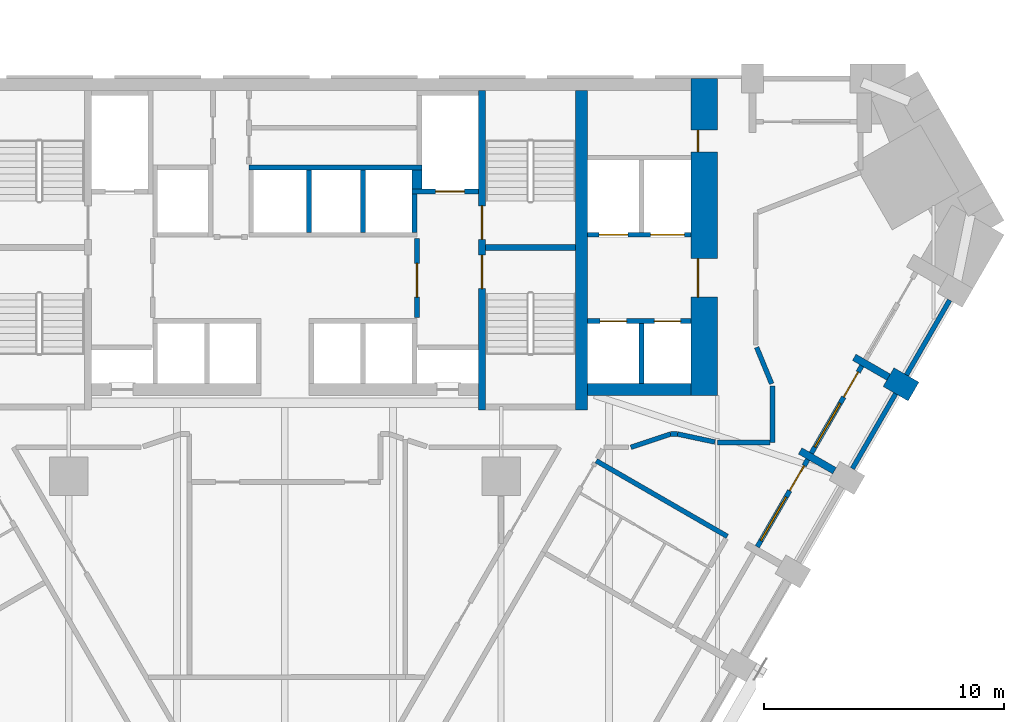
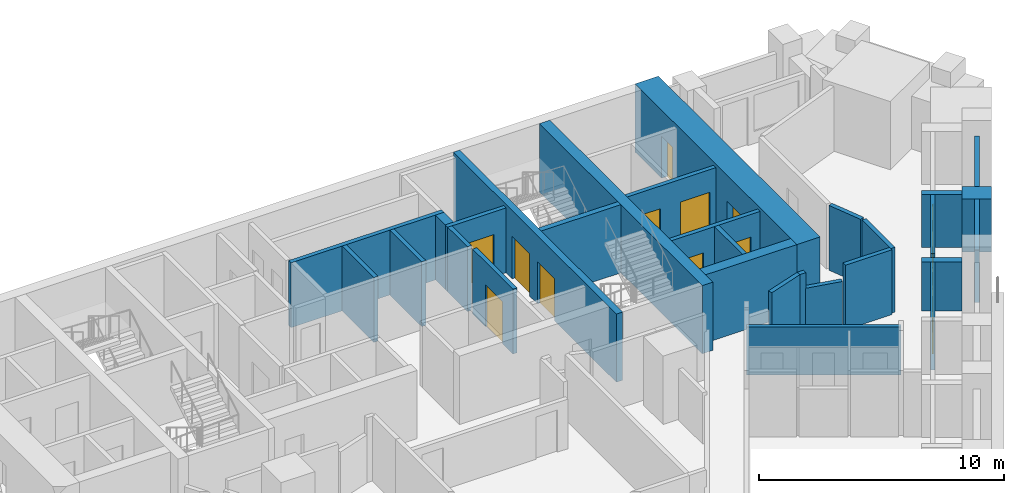
# One storey, part 7 of 10: 29 walls, 12 doors, 2 windows, 14 openings.
"""IFC4 building model written with IfcOpenShell, lengths in metres."""

from ifc_helpers import new_model, si_unit, direction, frame, frame_2d, origin, place, context, subcontext, project, spatial, rectangle, extrude, material, layer, layer_set, type_object, element, fill, save


model = new_model("IFC4")

# Units and contexts
model_context = context("Model", 3, precision=1e-05, world=origin(), true_north=direction((0.0, 1.0)))
body_context = subcontext(model_context, "Body", "Model", "MODEL_VIEW")
ifc_project = project(units=[si_unit("LENGTHUNIT", "METRE"), si_unit("AREAUNIT", "SQUARE_METRE"), si_unit("VOLUMEUNIT", "CUBIC_METRE"), si_unit("PLANEANGLEUNIT", "RADIAN"), si_unit("MASSUNIT", "GRAM", prefix="KILO")], contexts=[model_context])

# Site, building, storey
site_placement = place(None, origin())
site = spatial("IfcSite", under=ifc_project, at=site_placement, CompositionType="ELEMENT")
building_placement = place(site_placement, origin())
building = spatial("IfcBuilding", under=site, at=building_placement, Name="Calabash Gate Tower", CompositionType="ELEMENT")
storey_placement = place(building_placement, frame((0.0, 0.0, 59.60009765625)))
storey = spatial("IfcBuildingStorey", under=building, at=storey_placement, Name="L10", CompositionType="ELEMENT", Elevation=59.60009765625)

# Walls
ifc_material_1 = material(Name="Terracotta brick masonry, exposed face", Category="masonry")
ifc_layer_1 = layer(ifc_material_1, 1.199951171875)
ifc_layer_set_1 = layer_set([ifc_layer_1], Name="Brick end wall 1200")
wall_type_1 = type_object("IfcWallType", Name="Brick end wall 1200", PredefinedType="SOLIDWALL", material=ifc_layer_set_1)
wall_1_placement = place(storey_placement, frame((26.168701171875, 6.0205078125, 0.0), z_axis=(0.0, 0.0, 1.0), x_axis=(-0.865955154139, 0.50012165622, 0.0)))
element("IfcWall", 1, at=wall_1_placement, inside=storey, type_object=wall_type_1, Name="Brick pier S02 SE2.9", PredefinedType="SOLIDWALL", context=body_context, shape_type="SweptSolid", body=[
    extrude(rectangle(XDim=1.199951171875, YDim=0.89990234375, at=frame_2d((0.60009765625, 0.0))), origin(), (0.0, 0.0, 1.0), 2.6298828125),
])
ifc_material_2 = material(Name="Terracotta brick masonry, exposed face", Category="masonry")
ifc_layer_2 = layer(ifc_material_2, 0.300048828125)
ifc_layer_set_2 = layer_set([ifc_layer_2], Name="Brick loggia cheek wall 300")
wall_type_2 = type_object("IfcWallType", Name="Brick loggia cheek wall 300", PredefinedType="SOLIDWALL", material=ifc_layer_set_2)
wall_2_placement = place(storey_placement, frame((22.879638671875, 2.723388671875, 0.0), z_axis=(0.0, 0.0, 1.0), x_axis=(-0.866040211805, 0.499974350878, 0.0)))
element("IfcWall", 2, at=wall_2_placement, inside=storey, type_object=wall_type_2, Name="Loggia cheek S02 SE2.8", PredefinedType="SOLIDWALL", context=body_context, shape_type="SweptSolid", body=[
    extrude(rectangle(XDim=1.64990234375, YDim=0.300048828125, at=frame_2d((0.824951171875, 0.0))), origin(), (0.0, 0.0, 1.0), 2.449951171875),
])
wall_3_placement = place(storey_placement, frame((25.129638671875, 6.62060546875, 0.0), z_axis=(0.0, 0.0, 1.0), x_axis=(-0.866040211805, 0.499974350878, 0.0)))
element("IfcWall", 3, at=wall_3_placement, inside=storey, type_object=wall_type_2, Name="Loggia cheek S02 SE2.9", PredefinedType="SOLIDWALL", context=body_context, shape_type="SweptSolid", body=[
    extrude(rectangle(XDim=1.64990234375, YDim=0.300048828125, at=frame_2d((0.824951171875, 0.0))), origin(), (0.0, 0.0, 1.0), 2.64990234375),
])

# Wall, openings, doors
ifc_material_3 = material(Name="Concrete C80/95", Category="concrete")
ifc_layer_3 = layer(ifc_material_3, 1.10009765625)
ifc_layer_set_3 = layer_set([ifc_layer_3], Name="Core wall 1100 Concrete C80/95")
wall_type_3 = type_object("IfcWallType", Name="Core wall 1100 Concrete C80/95", PredefinedType="SHEAR", material=ifc_layer_set_3)
wall_4_placement = place(storey_placement, frame((17.449951171875, 5.8525390625, 0.0), z_axis=(0.0, 0.0, 1.0), x_axis=(0.0, 1.0, 0.0)))
wall_4 = element("IfcWall", 4, at=wall_4_placement, inside=storey, type_object=wall_type_3, Name="Core wall Z1-ENDE L10", PredefinedType="SHEAR", context=body_context, shape_type="SweptSolid", body=[
    extrude(rectangle(XDim=13.199951171875, YDim=1.10009765625, at=frame_2d((6.60009765625, 0.0))), origin(), (0.0, 0.0, 1.0), 3.39990234375),
])
opening_1_placement = place(wall_4_placement, frame((4.10009765625, 0.0, 0.0)))
opening_1 = element("IfcOpeningElement", 5, at=opening_1_placement, cuts=wall_4, Name="Opening H2-002", PredefinedType="OPENING", context=body_context, shape_type="SweptSolid", body=[
    extrude(rectangle(XDim=1.60009765625, YDim=2.10009765625, at=frame_2d((0.800048828125, 1.050048828125))), frame((0.0, 0.56005859375, 0.0), z_axis=(0.0, -1.0, 0.0), x_axis=(1.0, 0.0, 0.0)), (0.0, 0.0, 1.0), 1.1201171875),
])
opening_2_placement = place(wall_4_placement, frame((10.14990234375, 0.0, 0.0)))
opening_2 = element("IfcOpeningElement", 6, at=opening_2_placement, cuts=wall_4, Name="Opening H2-001", PredefinedType="OPENING", context=body_context, shape_type="SweptSolid", body=[
    extrude(rectangle(XDim=0.89990234375, YDim=2.10009765625, at=frame_2d((0.449951171875, 1.050048828125))), frame((0.0, 0.56005859375, 0.0), z_axis=(0.0, -1.0, 0.0), x_axis=(1.0, 0.0, 0.0)), (0.0, 0.0, 1.0), 1.1201171875),
])
ifc_material_4 = material(Name="Steel fire door set with fire-resisting glazing", Category="steel")
door_type_1 = type_object("IfcDoorType", Name="Double fire door D08 1600x2100 FD60", OperationType="DOUBLE_DOOR_SINGLE_SWING", PredefinedType="DOOR", material=ifc_material_4)
door_1_placement = place(opening_1_placement, origin())
door_1 = element("IfcDoor", 7, at=door_1_placement, inside=storey, type_object=door_type_1, Name="Low-rise Lift Lobby E door", OperationType="DOUBLE_DOOR_SINGLE_SWING", OverallHeight=2.10009765625, OverallWidth=1.60009765625, PredefinedType="DOOR", context=body_context, shape_type="SweptSolid", body=[
    extrude(rectangle(XDim=1.60009765625, YDim=2.10009765625, at=frame_2d((0.800048828125, 1.050048828125))), frame((0.0, 0.27490234375, 0.0), z_axis=(0.0, -1.0, 0.0), x_axis=(1.0, 0.0, 0.0)), (0.0, 0.0, 1.0), 0.050048828125),
])
fill(opening_1, door_1)
ifc_material_5 = material(Name="Steel fire door set with fire-resisting glazing", Category="steel")
door_type_2 = type_object("IfcDoorType", Name="Fire door D06 900x2100 FD60", OperationType="NOTDEFINED", PredefinedType="DOOR", material=ifc_material_5)
door_2_placement = place(opening_2_placement, origin())
door_2 = element("IfcDoor", 8, at=door_2_placement, inside=storey, type_object=door_type_2, Name="Luggage Store door", OperationType="SINGLE_SWING_LEFT", OverallHeight=2.10009765625, OverallWidth=0.89990234375, PredefinedType="DOOR", context=body_context, shape_type="SweptSolid", body=[
    extrude(rectangle(XDim=0.89990234375, YDim=2.10009765625, at=frame_2d((0.449951171875, 1.050048828125))), frame((0.0, 0.27490234375, 0.0), z_axis=(0.0, -1.0, 0.0), x_axis=(1.0, 0.0, 0.0)), (0.0, 0.0, 1.0), 0.050048828125),
])
fill(opening_2, door_2)

# Wall
ifc_material_6 = material(Name="Concrete C80/95", Category="concrete")
ifc_layer_4 = layer(ifc_material_6, 0.25)
ifc_layer_set_4 = layer_set([ifc_layer_4], Name="Core wall 250 Concrete C80/95")
wall_type_4 = type_object("IfcWallType", Name="Core wall 250 Concrete C80/95", PredefinedType="SHEAR", material=ifc_layer_set_4)
wall_5_placement = place(storey_placement, frame((8.35009765625, 12.027587890625, 0.0), z_axis=(0.0, 0.0, 1.0), x_axis=(1.0, 0.0, 0.0)))
element("IfcWall", 9, at=wall_5_placement, inside=storey, type_object=wall_type_4, Name="Core wall Z1-MIDE L10", PredefinedType="SHEAR", context=body_context, shape_type="SweptSolid", body=[
    extrude(rectangle(XDim=3.75, YDim=0.25, at=frame_2d((1.875, 0.0))), origin(), (0.0, 0.0, 1.0), 3.39990234375),
])

# Wall, openings, doors
ifc_material_7 = material(Name="Concrete C80/95", Category="concrete")
ifc_layer_5 = layer(ifc_material_7, 0.300048828125)
ifc_layer_set_5 = layer_set([ifc_layer_5], Name="Core wall 300 Concrete C80/95")
wall_type_5 = type_object("IfcWallType", Name="Core wall 300 Concrete C80/95", PredefinedType="SHEAR", material=ifc_layer_set_5)
wall_6_placement = place(storey_placement, frame((8.199951171875, 5.252685546875, 0.0), z_axis=(0.0, 0.0, 1.0), x_axis=(0.0, 1.0, 0.0)))
wall_6 = element("IfcWall", 10, at=wall_6_placement, inside=storey, type_object=wall_type_5, Name="Core wall Z1-PARTE L10", PredefinedType="SHEAR", context=body_context, shape_type="SweptSolid", body=[
    extrude(rectangle(XDim=13.2998046875, YDim=0.300048828125, at=frame_2d((6.64990234375, 0.0))), origin(), (0.0, 0.0, 1.0), 3.39990234375),
])
opening_3_placement = place(wall_6_placement, frame((7.10009765625, 0.0, 0.0)))
opening_3 = element("IfcOpeningElement", 11, at=opening_3_placement, cuts=wall_6, Name="Opening H2-015", PredefinedType="OPENING", context=body_context, shape_type="SweptSolid", body=[
    extrude(rectangle(XDim=1.39990234375, YDim=2.10009765625, at=frame_2d((0.699951171875, 1.050048828125))), frame((0.0, 0.159912109375, 0.0), z_axis=(0.0, -1.0, 0.0), x_axis=(1.0, 0.0, 0.0)), (0.0, 0.0, 1.0), 0.320068359375),
])
opening_4_placement = place(wall_6_placement, frame((5.050048828125, 0.0, 0.0)))
opening_4 = element("IfcOpeningElement", 12, at=opening_4_placement, cuts=wall_6, Name="Opening H2-016", PredefinedType="OPENING", context=body_context, shape_type="SweptSolid", body=[
    extrude(rectangle(XDim=1.39990234375, YDim=2.10009765625, at=frame_2d((0.699951171875, 1.050048828125))), frame((0.0, 0.159912109375, 0.0), z_axis=(0.0, -1.0, 0.0), x_axis=(1.0, 0.0, 0.0)), (0.0, 0.0, 1.0), 0.320068359375),
])
ifc_material_8 = material(Name="Steel fire door set with fire-resisting glazing", Category="steel")
door_type_3 = type_object("IfcDoorType", Name="Fire door D05 1400x2100 FD90", OperationType="NOTDEFINED", PredefinedType="DOOR", material=ifc_material_8)
door_3_placement = place(opening_3_placement, origin())
door_3 = element("IfcDoor", 13, at=door_3_placement, inside=storey, type_object=door_type_3, Name="Exit stair door ST3", OperationType="SINGLE_SWING_RIGHT", OverallHeight=2.10009765625, OverallWidth=1.39990234375, PredefinedType="DOOR", context=body_context, shape_type="SweptSolid", body=[
    extrude(rectangle(XDim=1.39990234375, YDim=2.10009765625, at=frame_2d((0.699951171875, 1.050048828125))), frame((0.0, 0.02490234375, 0.0), z_axis=(0.0, -1.0, 0.0), x_axis=(1.0, 0.0, 0.0)), (0.0, 0.0, 1.0), 0.050048828125),
])
fill(opening_3, door_3)
door_4_placement = place(opening_4_placement, origin())
door_4 = element("IfcDoor", 14, at=door_4_placement, inside=storey, type_object=door_type_3, Name="Exit stair door ST4", OperationType="SINGLE_SWING_LEFT", OverallHeight=2.10009765625, OverallWidth=1.39990234375, PredefinedType="DOOR", context=body_context, shape_type="SweptSolid", body=[
    extrude(rectangle(XDim=1.39990234375, YDim=2.10009765625, at=frame_2d((0.699951171875, 1.050048828125))), frame((0.0, 0.02490234375, 0.0), z_axis=(0.0, -1.0, 0.0), x_axis=(1.0, 0.0, 0.0)), (0.0, 0.0, 1.0), 0.050048828125),
])
fill(opening_4, door_4)

# Walls
ifc_material_9 = material(Name="Concrete C80/95", Category="concrete")
ifc_layer_6 = layer(ifc_material_9, 0.5)
ifc_layer_set_6 = layer_set([ifc_layer_6], Name="Core wall 500 Concrete C80/95")
wall_type_6 = type_object("IfcWallType", Name="Core wall 500 Concrete C80/95", PredefinedType="SHEAR", material=ifc_layer_set_6)
wall_7_placement = place(storey_placement, frame((12.35009765625, 5.252685546875, 0.0), z_axis=(0.0, 0.0, 1.0), x_axis=(0.0, 1.0, 0.0)))
element("IfcWall", 15, at=wall_7_placement, inside=storey, type_object=wall_type_6, Name="Core wall Z1-COLE L10", PredefinedType="SHEAR", context=body_context, shape_type="SweptSolid", body=[
    extrude(rectangle(XDim=13.2998046875, YDim=0.5, at=frame_2d((6.64990234375, 0.0))), origin(), (0.0, 0.0, 1.0), 3.39990234375),
])
wall_8_placement = place(storey_placement, frame((12.60009765625, 6.1025390625, 0.0), z_axis=(0.0, 0.0, 1.0), x_axis=(1.0, 0.0, 0.0)))
element("IfcWall", 16, at=wall_8_placement, inside=storey, type_object=wall_type_6, Name="Core wall Z1-SE L10", PredefinedType="SHEAR", context=body_context, shape_type="SweptSolid", body=[
    extrude(rectangle(XDim=4.2998046875, YDim=0.5, at=frame_2d((2.14990234375, 0.0))), origin(), (0.0, 0.0, 1.0), 3.39990234375),
])
ifc_material_10 = material(Name="Gypsum board on steel studs, mineral wool", Category="steel")
ifc_layer_7 = layer(ifc_material_10, 0.199951171875)
ifc_layer_set_7 = layer_set([ifc_layer_7], Name="Partition 200 gypsum board EI 60")
wall_type_7 = type_object("IfcWallType", Name="Partition 200 gypsum board EI 60", PredefinedType="PARTITIONING", material=ifc_layer_set_7)
wall_9_placement = place(storey_placement, frame((12.96044921875, 3.138916015625, 0.0), z_axis=(0.0, 0.0, 1.0), x_axis=(0.866164933594, -0.499758249369, 0.0)))
element("IfcWall", 17, at=wall_9_placement, inside=storey, type_object=wall_type_7, Name="Partition", PredefinedType="PARTITIONING", context=body_context, shape_type="SweptSolid", body=[
    extrude(rectangle(XDim=6.2978515625, YDim=0.199951171875, at=frame_2d((3.14892578125, 0.0))), origin(), (0.0, 0.0, 1.0), 2.384033203125),
])
wall_10_placement = place(storey_placement, frame((14.400146484375, 3.699462890625, 0.0), z_axis=(0.0, 0.0, 1.0), x_axis=(0.948655351627, 0.316311592943, 0.0)))
element("IfcWall", 18, at=wall_10_placement, inside=storey, type_object=wall_type_7, Name="Partition", PredefinedType="PARTITIONING", context=body_context, shape_type="SweptSolid", body=[
    extrude(rectangle(XDim=1.747314453125, YDim=0.199951171875, at=frame_2d((0.87353515625, 0.0))), origin(), (0.0, 0.0, 1.0), 3.22998046875),
])
wall_11_placement = place(storey_placement, frame((18.0, 3.8994140625, 0.0), z_axis=(0.0, 0.0, 1.0), x_axis=(0.999999975374, 0.000221926315, 0.0)))
element("IfcWall", 19, at=wall_11_placement, inside=storey, type_object=wall_type_7, Name="Partition", PredefinedType="PARTITIONING", context=body_context, shape_type="SweptSolid", body=[
    extrude(rectangle(XDim=2.2001953125, YDim=0.199951171875, at=frame_2d((1.10009765625, 0.0))), origin(), (0.0, 0.0, 1.0), 3.22998046875),
])
wall_12_placement = place(storey_placement, frame((20.30029296875, 3.89990234375, 0.0), z_axis=(0.0, 0.0, 1.0), x_axis=(0.000103766732, 0.999999994616, 0.0)))
element("IfcWall", 20, at=wall_12_placement, inside=storey, type_object=wall_type_7, Name="Partition", PredefinedType="PARTITIONING", context=body_context, shape_type="SweptSolid", body=[
    extrude(rectangle(XDim=2.352783203125, YDim=0.199951171875, at=frame_2d((1.17626953125, 0.0))), origin(), (0.0, 0.0, 1.0), 3.22998046875),
])
wall_13_placement = place(storey_placement, frame((16.057861328125, 4.252197265625, 0.0), z_axis=(0.0, 0.0, 1.0), x_axis=(1.0, 0.0, 0.0)))
element("IfcWall", 21, at=wall_13_placement, inside=storey, type_object=wall_type_7, Name="Partition", PredefinedType="PARTITIONING", context=body_context, shape_type="SweptSolid", body=[
    extrude(rectangle(XDim=0.284423828125, YDim=0.199951171875, at=frame_2d((0.14208984375, 0.0))), origin(), (0.0, 0.0, 1.0), 3.22998046875),
])
wall_14_placement = place(storey_placement, frame((16.34228515625, 4.252197265625, 0.0), z_axis=(0.0, 0.0, 1.0), x_axis=(0.978117199083, -0.208054667953, 0.0)))
element("IfcWall", 22, at=wall_14_placement, inside=storey, type_object=wall_type_7, Name="Partition", PredefinedType="PARTITIONING", context=body_context, shape_type="SweptSolid", body=[
    extrude(rectangle(XDim=1.5947265625, YDim=0.199951171875, at=frame_2d((0.79736328125, 0.0))), origin(), (0.0, 0.0, 1.0), 2.449951171875),
])
wall_15_placement = place(storey_placement, frame((19.638671875, 7.860107421875, 0.0), z_axis=(0.0, 0.0, 1.0), x_axis=(0.380749805254, -0.924678098475, 0.0)))
element("IfcWall", 23, at=wall_15_placement, inside=storey, type_object=wall_type_7, Name="Partition", PredefinedType="PARTITIONING", context=body_context, shape_type="SweptSolid", body=[
    extrude(rectangle(XDim=1.63818359375, YDim=0.199951171875, at=frame_2d((0.819091796875, 0.0))), origin(), (0.0, 0.0, 1.0), 3.22998046875),
])
ifc_material_11 = material(Name="Concrete C40/50", Category="concrete")
ifc_layer_8 = layer(ifc_material_11, 0.199951171875)
ifc_layer_set_8 = layer_set([ifc_layer_8], Name="Shaft wall 200 Concrete C40/50")
wall_type_8 = type_object("IfcWallType", Name="Shaft wall 200 Concrete C40/50", PredefinedType="SOLIDWALL", material=ifc_layer_set_8)
wall_16_placement = place(storey_placement, frame((14.85009765625, 6.3525390625, 0.0), z_axis=(0.0, 0.0, 1.0), x_axis=(0.0, 1.0, 0.0)))
element("IfcWall", 24, at=wall_16_placement, inside=storey, type_object=wall_type_8, Name="Shaft wall", PredefinedType="SOLIDWALL", context=body_context, shape_type="SweptSolid", body=[
    extrude(rectangle(XDim=2.5, YDim=0.199951171875, at=frame_2d((1.25, 0.0))), origin(), (0.0, 0.0, 1.0), 3.22998046875),
])

# Wall, openings, doors
wall_17_placement = place(storey_placement, frame((12.60009765625, 8.95263671875, 0.0), z_axis=(0.0, 0.0, 1.0), x_axis=(1.0, 0.0, 0.0)))
wall_17 = element("IfcWall", 25, at=wall_17_placement, inside=storey, type_object=wall_type_8, Name="Shaft wall", PredefinedType="SOLIDWALL", context=body_context, shape_type="SweptSolid", body=[
    extrude(rectangle(XDim=4.2998046875, YDim=0.199951171875, at=frame_2d((2.14990234375, 0.0))), origin(), (0.0, 0.0, 1.0), 3.22998046875),
])
opening_5_placement = place(wall_17_placement, frame((0.52490234375, 0.0, 0.0)))
opening_5 = element("IfcOpeningElement", 26, at=opening_5_placement, cuts=wall_17, Name="Opening LD-LR5", PredefinedType="OPENING", context=body_context, shape_type="SweptSolid", body=[
    extrude(rectangle(XDim=1.10009765625, YDim=2.10009765625, at=frame_2d((0.550048828125, 1.050048828125))), frame((0.0, 0.10986328125, 0.0), z_axis=(0.0, -1.0, 0.0), x_axis=(1.0, 0.0, 0.0)), (0.0, 0.0, 1.0), 0.219970703125),
])
opening_6_placement = place(wall_17_placement, frame((2.77490234375, 0.0, 0.0)))
opening_6 = element("IfcOpeningElement", 27, at=opening_6_placement, cuts=wall_17, Name="Opening LD-LR6", PredefinedType="OPENING", context=body_context, shape_type="SweptSolid", body=[
    extrude(rectangle(XDim=1.10009765625, YDim=2.10009765625, at=frame_2d((0.550048828125, 1.050048828125))), frame((0.0, 0.10986328125, 0.0), z_axis=(0.0, -1.0, 0.0), x_axis=(1.0, 0.0, 0.0)), (0.0, 0.0, 1.0), 0.219970703125),
])
ifc_material_12 = material(Name="Stainless steel sliding door leaves", Category="steel")
door_type_4 = type_object("IfcDoorType", Name="Lift landing door LS1 1100x2100 FD90", OperationType="DOUBLE_DOOR_SLIDING", PredefinedType="DOOR", material=ifc_material_12)
door_5_placement = place(opening_5_placement, origin())
door_5 = element("IfcDoor", 28, at=door_5_placement, inside=storey, type_object=door_type_4, Name="Lift landing door LR5", OperationType="DOUBLE_DOOR_SLIDING", OverallHeight=2.10009765625, OverallWidth=1.10009765625, PredefinedType="DOOR", context=body_context, shape_type="SweptSolid", body=[
    extrude(rectangle(XDim=1.10009765625, YDim=2.10009765625, at=frame_2d((0.550048828125, 1.050048828125))), frame((0.0, 0.02490234375, 0.0), z_axis=(0.0, -1.0, 0.0), x_axis=(1.0, 0.0, 0.0)), (0.0, 0.0, 1.0), 0.050048828125),
])
fill(opening_5, door_5)
door_6_placement = place(opening_6_placement, origin())
door_6 = element("IfcDoor", 29, at=door_6_placement, inside=storey, type_object=door_type_4, Name="Lift landing door LR6", OperationType="DOUBLE_DOOR_SLIDING", OverallHeight=2.10009765625, OverallWidth=1.10009765625, PredefinedType="DOOR", context=body_context, shape_type="SweptSolid", body=[
    extrude(rectangle(XDim=1.10009765625, YDim=2.10009765625, at=frame_2d((0.550048828125, 1.050048828125))), frame((0.0, 0.02490234375, 0.0), z_axis=(0.0, -1.0, 0.0), x_axis=(1.0, 0.0, 0.0)), (0.0, 0.0, 1.0), 0.050048828125),
])
fill(opening_6, door_6)

# Wall, opening, door
wall_18_placement = place(storey_placement, frame((5.5, 9.1025390625, 0.0), z_axis=(0.0, 0.0, 1.0), x_axis=(0.0, 1.0, 0.0)))
wall_18 = element("IfcWall", 30, at=wall_18_placement, inside=storey, type_object=wall_type_8, Name="Shaft wall", PredefinedType="SOLIDWALL", context=body_context, shape_type="SweptSolid", body=[
    extrude(rectangle(XDim=3.300048828125, YDim=0.199951171875, at=frame_2d((1.64990234375, 0.0))), origin(), (0.0, 0.0, 1.0), 3.22998046875),
])
opening_7_placement = place(wall_18_placement, frame((0.85009765625, 0.0, 0.0)))
opening_7 = element("IfcOpeningElement", 31, at=opening_7_placement, cuts=wall_18, Name="Opening H2-006", PredefinedType="OPENING", context=body_context, shape_type="SweptSolid", body=[
    extrude(rectangle(XDim=1.39990234375, YDim=2.10009765625, at=frame_2d((0.699951171875, 1.050048828125))), frame((0.0, 0.10986328125, 0.0), z_axis=(0.0, -1.0, 0.0), x_axis=(1.0, 0.0, 0.0)), (0.0, 0.0, 1.0), 0.219970703125),
])
door_7_placement = place(opening_7_placement, origin())
door_7 = element("IfcDoor", 32, at=door_7_placement, inside=storey, type_object=door_type_3, Name="Firefighting Lobby E door", OperationType="SINGLE_SWING_LEFT", OverallHeight=2.10009765625, OverallWidth=1.39990234375, PredefinedType="DOOR", context=body_context, shape_type="SweptSolid", body=[
    extrude(rectangle(XDim=1.39990234375, YDim=2.10009765625, at=frame_2d((0.699951171875, 1.050048828125))), frame((0.0, 0.02490234375, 0.0), z_axis=(0.0, -1.0, 0.0), x_axis=(1.0, 0.0, 0.0)), (0.0, 0.0, 1.0), 0.050048828125),
])
fill(opening_7, door_7)

# Wall, openings, doors
wall_19_placement = place(storey_placement, frame((12.60009765625, 12.552490234375, 0.0), z_axis=(0.0, 0.0, 1.0), x_axis=(1.0, 0.0, 0.0)))
wall_19 = element("IfcWall", 33, at=wall_19_placement, inside=storey, type_object=wall_type_8, Name="Shaft wall", PredefinedType="SOLIDWALL", context=body_context, shape_type="SweptSolid", body=[
    extrude(rectangle(XDim=4.2998046875, YDim=0.199951171875, at=frame_2d((2.14990234375, 0.0))), origin(), (0.0, 0.0, 1.0), 3.22998046875),
])
opening_8_placement = place(wall_19_placement, frame((0.47509765625, 0.0, 0.0)))
opening_8 = element("IfcOpeningElement", 34, at=opening_8_placement, cuts=wall_19, Name="Opening LD-SL1", PredefinedType="OPENING", context=body_context, shape_type="SweptSolid", body=[
    extrude(rectangle(XDim=1.199951171875, YDim=2.10009765625, at=frame_2d((0.60009765625, 1.050048828125))), frame((0.0, 0.10986328125, 0.0), z_axis=(0.0, -1.0, 0.0), x_axis=(1.0, 0.0, 0.0)), (0.0, 0.0, 1.0), 0.219970703125),
])
opening_9_placement = place(wall_19_placement, frame((2.625, 0.0, 0.0)))
opening_9 = element("IfcOpeningElement", 35, at=opening_9_placement, cuts=wall_19, Name="Opening LD-GL1", PredefinedType="OPENING", context=body_context, shape_type="SweptSolid", body=[
    extrude(rectangle(XDim=1.39990234375, YDim=2.10009765625, at=frame_2d((0.699951171875, 1.050048828125))), frame((0.0, 0.10986328125, 0.0), z_axis=(0.0, -1.0, 0.0), x_axis=(1.0, 0.0, 0.0)), (0.0, 0.0, 1.0), 0.219970703125),
])
ifc_material_13 = material(Name="Stainless steel sliding door leaves", Category="steel")
door_type_5 = type_object("IfcDoorType", Name="Lift landing door LS3 1200x2100 FD90", OperationType="DOUBLE_DOOR_SLIDING", PredefinedType="DOOR", material=ifc_material_13)
door_8_placement = place(opening_8_placement, origin())
door_8 = element("IfcDoor", 36, at=door_8_placement, inside=storey, type_object=door_type_5, Name="Lift landing door SL1", OperationType="DOUBLE_DOOR_SLIDING", OverallHeight=2.10009765625, OverallWidth=1.199951171875, PredefinedType="DOOR", context=body_context, shape_type="SweptSolid", body=[
    extrude(rectangle(XDim=1.199951171875, YDim=2.10009765625, at=frame_2d((0.60009765625, 1.050048828125))), frame((0.0, 0.02490234375, 0.0), z_axis=(0.0, -1.0, 0.0), x_axis=(1.0, 0.0, 0.0)), (0.0, 0.0, 1.0), 0.050048828125),
])
fill(opening_8, door_8)
ifc_material_14 = material(Name="Stainless steel sliding door leaves", Category="steel")
door_type_6 = type_object("IfcDoorType", Name="Lift landing door LS4 1400x2100 FD90", OperationType="DOUBLE_DOOR_SLIDING", PredefinedType="DOOR", material=ifc_material_14)
door_9_placement = place(opening_9_placement, origin())
door_9 = element("IfcDoor", 37, at=door_9_placement, inside=storey, type_object=door_type_6, Name="Lift landing door GL1", OperationType="DOUBLE_DOOR_SLIDING", OverallHeight=2.10009765625, OverallWidth=1.39990234375, PredefinedType="DOOR", context=body_context, shape_type="SweptSolid", body=[
    extrude(rectangle(XDim=1.39990234375, YDim=2.10009765625, at=frame_2d((0.699951171875, 1.050048828125))), frame((0.0, 0.02490234375, 0.0), z_axis=(0.0, -1.0, 0.0), x_axis=(1.0, 0.0, 0.0)), (0.0, 0.0, 1.0), 0.050048828125),
])
fill(opening_9, door_9)

# Walls
for number, where, z_axis, x_axis, name in (
    (38, (1.0, 12.652587890625, 0.0), (0.0, 0.0, 1.0), (0.0, 1.0, 0.0), "Shaft wall"),
    (39, (3.25, 12.652587890625, 0.0), (0.0, 0.0, 1.0), (0.0, 1.0, 0.0), "Shaft wall"),
):
    element("IfcWall", number, at=place(storey_placement, frame(where, z_axis=z_axis, x_axis=x_axis)), inside=storey, type_object=wall_type_8, Name=name, PredefinedType="SOLIDWALL", context=body_context, shape_type="SweptSolid", body=[
        extrude(rectangle(XDim=2.60009765625, YDim=0.199951171875, at=frame_2d((1.300048828125, 0.0))), origin(), (0.0, 0.0, 1.0), 3.22998046875),
    ])
wall_20_placement = place(storey_placement, frame((5.39990234375, 12.652587890625, 0.0), z_axis=(0.0, 0.0, 1.0), x_axis=(0.0, 1.0, 0.0)))
element("IfcWall", 40, at=wall_20_placement, inside=storey, type_object=wall_type_8, Name="Shaft wall", PredefinedType="SOLIDWALL", context=body_context, shape_type="SweptSolid", body=[
    extrude(rectangle(XDim=1.60009765625, YDim=0.199951171875, at=frame_2d((0.800048828125, 0.0))), origin(), (0.0, 0.0, 1.0), 3.22998046875),
])

# Wall, opening, door
wall_21_placement = place(storey_placement, frame((5.300048828125, 14.3525390625, 0.0), z_axis=(0.0, 0.0, 1.0), x_axis=(1.0, 0.0, 0.0)))
wall_21 = element("IfcWall", 41, at=wall_21_placement, inside=storey, type_object=wall_type_8, Name="Shaft wall", PredefinedType="SOLIDWALL", context=body_context, shape_type="SweptSolid", body=[
    extrude(rectangle(XDim=2.75, YDim=0.199951171875, at=frame_2d((1.375, 0.0))), origin(), (0.0, 0.0, 1.0), 3.22998046875),
])
opening_10_placement = place(wall_21_placement, frame((0.97509765625, 0.0, 0.0)))
opening_10 = element("IfcOpeningElement", 42, at=opening_10_placement, cuts=wall_21, Name="Opening LD-FF2", PredefinedType="OPENING", context=body_context, shape_type="SweptSolid", body=[
    extrude(rectangle(XDim=1.199951171875, YDim=2.10009765625, at=frame_2d((0.60009765625, 1.050048828125))), frame((0.0, 0.10986328125, 0.0), z_axis=(0.0, -1.0, 0.0), x_axis=(1.0, 0.0, 0.0)), (0.0, 0.0, 1.0), 0.219970703125),
])
door_10_placement = place(opening_10_placement, origin())
door_10 = element("IfcDoor", 43, at=door_10_placement, inside=storey, type_object=door_type_5, Name="Lift landing door FF2", OperationType="DOUBLE_DOOR_SLIDING", OverallHeight=2.10009765625, OverallWidth=1.199951171875, PredefinedType="DOOR", context=body_context, shape_type="SweptSolid", body=[
    extrude(rectangle(XDim=1.199951171875, YDim=2.10009765625, at=frame_2d((0.60009765625, 1.050048828125))), frame((0.0, 0.02490234375, 0.0), z_axis=(0.0, -1.0, 0.0), x_axis=(1.0, 0.0, 0.0)), (0.0, 0.0, 1.0), 0.050048828125),
])
fill(opening_10, door_10)

# Walls
wall_22_placement = place(storey_placement, frame((5.5, 14.45263671875, 0.0), z_axis=(0.0, 0.0, 1.0), x_axis=(0.0, 1.0, 0.0)))
element("IfcWall", 44, at=wall_22_placement, inside=storey, type_object=wall_type_8, Name="Shaft wall", PredefinedType="SOLIDWALL", context=body_context, shape_type="SweptSolid", body=[
    extrude(rectangle(XDim=0.800048828125, YDim=0.39990234375, at=frame_2d((0.39990234375, 0.0))), origin(), (0.0, 0.0, 1.0), 3.22998046875),
])
wall_23_placement = place(storey_placement, frame((-1.5, 15.3525390625, 0.0), z_axis=(0.0, 0.0, 1.0), x_axis=(1.0, 0.0, 0.0)))
element("IfcWall", 45, at=wall_23_placement, inside=storey, type_object=wall_type_8, Name="Shaft wall", PredefinedType="SOLIDWALL", context=body_context, shape_type="SweptSolid", body=[
    extrude(rectangle(XDim=7.199951171875, YDim=0.199951171875, at=frame_2d((3.60009765625, 0.0))), origin(), (0.0, 0.0, 1.0), 3.22998046875),
])
ifc_material_15 = material(Name="Terracotta brick masonry, perforated", Category="masonry")
ifc_layer_9 = layer(ifc_material_15, 0.199951171875)
ifc_layer_set_9 = layer_set([ifc_layer_9], Name="Terracotta jaali screen B")
wall_type_9 = type_object("IfcWallType", Name="Terracotta jaali screen B", PredefinedType="SOLIDWALL", material=ifc_layer_set_9)
for number, where, z_axis, x_axis, name in (
    (46, (23.624267578125, 2.813232421875, 0.0), (0.0, 0.0, 1.0), (0.499961193289, 0.866047807691, 0.0), "SCREEN B S02 SE2.9"),
    (47, (25.874267578125, 6.710205078125, 0.0), (0.0, 0.0, 1.0), (0.499961193289, 0.866047807691, 0.0), "SCREEN B S02 SE2.10"),
):
    element("IfcWall", number, at=place(storey_placement, frame(where, z_axis=z_axis, x_axis=x_axis)), inside=storey, type_object=wall_type_9, Name=name, PredefinedType="SOLIDWALL", context=body_context, shape_type="SweptSolid", body=[
        extrude(rectangle(XDim=3.599853515625, YDim=0.199951171875, at=frame_2d((1.7998046875, 0.0))), origin(), (0.0, 0.0, 1.0), 2.6298828125),
    ])

# Wall, openings, door, window
ifc_material_16 = material(Name="Aluminium framed window wall with insulated spandrel", Category="aluminium")
ifc_layer_10 = layer(ifc_material_16, 0.199951171875)
ifc_layer_set_10 = layer_set([ifc_layer_10], Name="Window wall 200")
wall_type_10 = type_object("IfcWallType", Name="Window wall 200", PredefinedType="ELEMENTEDWALL", material=ifc_layer_set_10)
wall_24_placement = place(storey_placement, frame((19.665283203125, -0.44384765625, 0.0), z_axis=(0.0, 0.0, 1.0), x_axis=(0.500002543286, 0.866023935413, 0.0)))
wall_24 = element("IfcWall", 48, at=wall_24_placement, inside=storey, type_object=wall_type_10, Name="Window wall S02 SE2.8", PredefinedType="ELEMENTEDWALL", context=body_context, shape_type="SweptSolid", body=[
    extrude(rectangle(XDim=4.2001953125, YDim=0.199951171875, at=frame_2d((2.10009765625, 0.0))), origin(), (0.0, 0.0, 1.0), 2.449951171875),
])
opening_11_placement = place(wall_24_placement, frame((0.300048828125, 0.0, 0.60009765625)))
opening_11 = element("IfcOpeningElement", 49, at=opening_11_placement, cuts=wall_24, Name="Opening HW1L-1750", PredefinedType="OPENING", context=body_context, shape_type="SweptSolid", body=[
    extrude(rectangle(XDim=2.10009765625, YDim=1.75, at=frame_2d((1.050048828125, 0.875))), frame((0.0, 0.10986328125, 0.0), z_axis=(0.0, -1.0, 0.0), x_axis=(1.0, 0.0, 0.0)), (0.0, 0.0, 1.0), 0.219970703125),
])
opening_12_placement = place(wall_24_placement, frame((2.699951171875, 0.0, 0.0)))
opening_12 = element("IfcOpeningElement", 50, at=opening_12_placement, cuts=wall_24, Name="Opening H2-020", PredefinedType="OPENING", context=body_context, shape_type="SweptSolid", body=[
    extrude(rectangle(XDim=1.199951171875, YDim=2.35009765625, at=frame_2d((0.60009765625, 1.175048828125))), frame((0.0, 0.10986328125, 0.0), z_axis=(0.0, -1.0, 0.0), x_axis=(1.0, 0.0, 0.0)), (0.0, 0.0, 1.0), 0.219970703125),
])
ifc_material_17 = material(Name="Anodised aluminium frame, bronze finish, impact-rated laminated clear glazing", Category="aluminium")
door_type_7 = type_object("IfcDoorType", Name="Loggia door DH1L-2350 1200x2350", OperationType="SLIDING_TO_LEFT", PredefinedType="DOOR", material=ifc_material_17)
door_11_placement = place(opening_12_placement, origin())
door_11 = element("IfcDoor", 51, at=door_11_placement, inside=storey, type_object=door_type_7, Name="Loggia door S02 SE2.8", OperationType="SINGLE_SWING_LEFT", OverallHeight=2.35009765625, OverallWidth=1.199951171875, PredefinedType="DOOR", context=body_context, shape_type="SweptSolid", body=[
    extrude(rectangle(XDim=1.199951171875, YDim=2.35009765625, at=frame_2d((0.60009765625, 1.175048828125))), frame((0.0, 0.02490234375, 0.0), z_axis=(0.0, -1.0, 0.0), x_axis=(1.0, 0.0, 0.0)), (0.0, 0.0, 1.0), 0.050048828125),
])
fill(opening_12, door_11)
ifc_material_18 = material(Name="Anodised aluminium frame, bronze finish, impact-rated laminated clear glazing", Category="aluminium")
window_type_1 = type_object("IfcWindowType", Name="Window HW1L 2100x1750", PartitioningType="DOUBLE_PANEL_VERTICAL", PredefinedType="WINDOW", material=ifc_material_18)
window_1_placement = place(opening_11_placement, origin())
window_1 = element("IfcWindow", 52, at=window_1_placement, inside=storey, type_object=window_type_1, Name="Window HW1 S02 SE2.8", OverallHeight=1.75, OverallWidth=2.10009765625, PartitioningType="SINGLE_PANEL", PredefinedType="WINDOW", context=body_context, shape_type="SweptSolid", body=[
    extrude(rectangle(XDim=2.10009765625, YDim=1.75, at=frame_2d((1.050048828125, 0.875))), frame((0.0, 0.030029296875, 0.0), z_axis=(0.0, -1.0, 0.0), x_axis=(1.0, 0.0, 0.0)), (0.0, 0.0, 1.0), 0.06005859375),
])
fill(opening_11, window_1)

wall_25_placement = place(storey_placement, frame((21.915283203125, 3.453369140625, 0.0), z_axis=(0.0, 0.0, 1.0), x_axis=(0.500027713859, 0.866009402589, 0.0)))
wall_25 = element("IfcWall", 53, at=wall_25_placement, inside=storey, type_object=wall_type_10, Name="Window wall S02 SE2.9", PredefinedType="ELEMENTEDWALL", context=body_context, shape_type="SweptSolid", body=[
    extrude(rectangle(XDim=4.199951171875, YDim=0.199951171875, at=frame_2d((2.10009765625, 0.0))), origin(), (0.0, 0.0, 1.0), 2.64990234375),
])
opening_13_placement = place(wall_25_placement, frame((0.300048828125, 0.0, 0.60009765625)))
opening_13 = element("IfcOpeningElement", 54, at=opening_13_placement, cuts=wall_25, Name="Opening HW1", PredefinedType="OPENING", context=body_context, shape_type="SweptSolid", body=[
    extrude(rectangle(XDim=2.10009765625, YDim=1.800048828125, at=frame_2d((1.050048828125, 0.89990234375))), frame((0.0, 0.10986328125, 0.0), z_axis=(0.0, -1.0, 0.0), x_axis=(1.0, 0.0, 0.0)), (0.0, 0.0, 1.0), 0.219970703125),
])
opening_14_placement = place(wall_25_placement, frame((2.699951171875, 0.0, 0.0)))
opening_14 = element("IfcOpeningElement", 55, at=opening_14_placement, cuts=wall_25, Name="Opening H2-021", PredefinedType="OPENING", context=body_context, shape_type="SweptSolid", body=[
    extrude(rectangle(XDim=1.199951171875, YDim=2.39990234375, at=frame_2d((0.60009765625, 1.199951171875))), frame((0.0, 0.10986328125, 0.0), z_axis=(0.0, -1.0, 0.0), x_axis=(1.0, 0.0, 0.0)), (0.0, 0.0, 1.0), 0.219970703125),
])
ifc_material_19 = material(Name="Anodised aluminium frame, bronze finish, impact-rated laminated clear glazing", Category="aluminium")
door_type_8 = type_object("IfcDoorType", Name="Loggia door DH1 1200x2400", OperationType="SLIDING_TO_LEFT", PredefinedType="DOOR", material=ifc_material_19)
door_12_placement = place(opening_14_placement, origin())
door_12 = element("IfcDoor", 56, at=door_12_placement, inside=storey, type_object=door_type_8, Name="Loggia door S02 SE2.9", OperationType="SINGLE_SWING_LEFT", OverallHeight=2.39990234375, OverallWidth=1.199951171875, PredefinedType="DOOR", context=body_context, shape_type="SweptSolid", body=[
    extrude(rectangle(XDim=1.199951171875, YDim=2.39990234375, at=frame_2d((0.60009765625, 1.199951171875))), frame((0.0, 0.02490234375, 0.0), z_axis=(0.0, -1.0, 0.0), x_axis=(1.0, 0.0, 0.0)), (0.0, 0.0, 1.0), 0.050048828125),
])
fill(opening_14, door_12)
ifc_material_20 = material(Name="Anodised aluminium frame, bronze finish, impact-rated laminated clear glazing", Category="aluminium")
window_type_2 = type_object("IfcWindowType", Name="Window HW1 2100x1800", PartitioningType="DOUBLE_PANEL_VERTICAL", PredefinedType="WINDOW", material=ifc_material_20)
window_2_placement = place(opening_13_placement, origin())
window_2 = element("IfcWindow", 57, at=window_2_placement, inside=storey, type_object=window_type_2, Name="Window HW1 S02 SE2.9", OverallHeight=1.800048828125, OverallWidth=2.10009765625, PartitioningType="SINGLE_PANEL", PredefinedType="WINDOW", context=body_context, shape_type="SweptSolid", body=[
    extrude(rectangle(XDim=2.10009765625, YDim=1.800048828125, at=frame_2d((1.050048828125, 0.89990234375))), frame((0.0, 0.030029296875, 0.0), z_axis=(0.0, -1.0, 0.0), x_axis=(1.0, 0.0, 0.0)), (0.0, 0.0, 1.0), 0.06005859375),
])
fill(opening_13, window_2)

save(model, "model.ifc")
